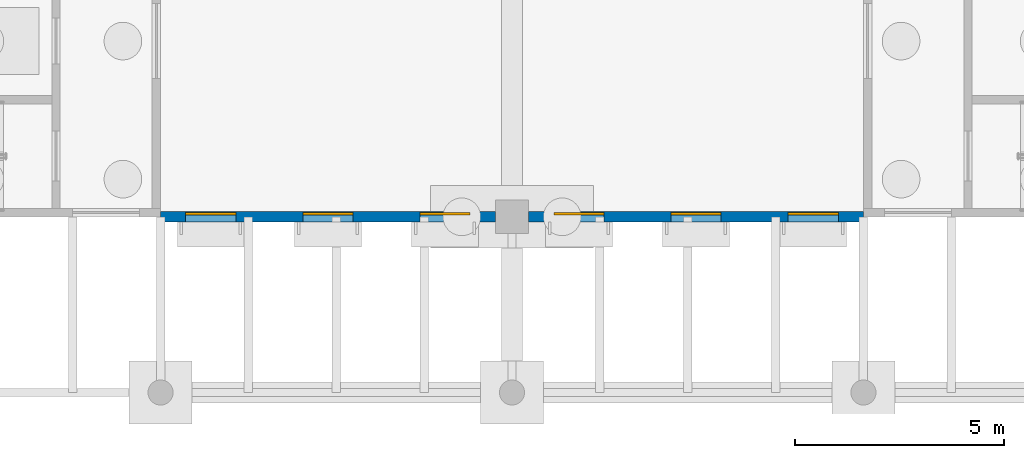
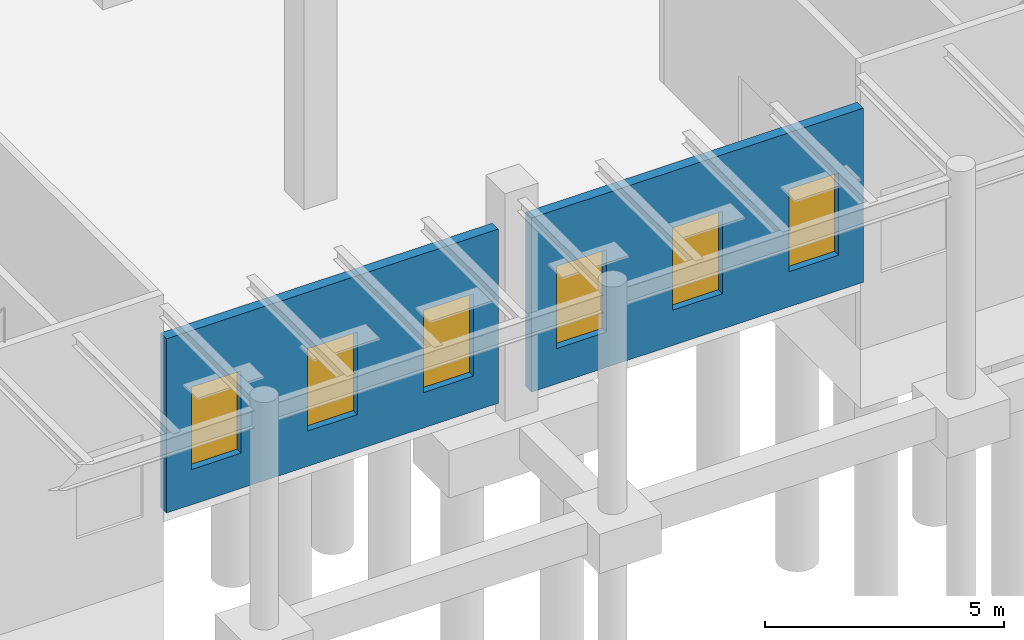
# One storey, part 34 of 82: 6 windows, 2 walls, 6 openings.
"""IFC4 building model written with IfcOpenShell, lengths in metres."""

from ifc_helpers import new_model, si_unit, direction, frame, frame_2d, origin, place, context, subcontext, project, spatial, rectangle, extrude, material, layer, layer_set, type_object, element, fill, save


model = new_model("IFC4")

# Units and contexts
model_context = context("Model", 3, precision=1e-05, world=origin(), true_north=direction((0.0, 1.0)))
body_context = subcontext(model_context, "Body", "Model", "MODEL_VIEW")
ifc_project = project(units=[si_unit("LENGTHUNIT", "METRE"), si_unit("AREAUNIT", "SQUARE_METRE"), si_unit("VOLUMEUNIT", "CUBIC_METRE"), si_unit("PLANEANGLEUNIT", "RADIAN"), si_unit("MASSUNIT", "GRAM", prefix="KILO")], contexts=[model_context])

# Site, building, storey
site_placement = place(None, origin())
site = spatial("IfcSite", under=ifc_project, at=site_placement, CompositionType="ELEMENT")
building_placement = place(site_placement, origin())
building = spatial("IfcBuilding", under=site, at=building_placement, Name="Almond Square Museum", CompositionType="ELEMENT")
storey_placement = place(building_placement, origin())
storey = spatial("IfcBuildingStorey", under=building, at=storey_placement, Name="L00", CompositionType="ELEMENT", Elevation=0.0)

# Wall, openings, windows
ifc_material_1 = material(Name="Precast concrete C40/50", Category="concrete")
ifc_layer = layer(ifc_material_1, 0.25)
ifc_layer_set = layer_set([ifc_layer], Name="Precast concrete C40/50")
wall_type = type_object("IfcWallType", Name="Precast concrete panel wall 250 with coral limestone piers", PredefinedType="SOLIDWALL", material=ifc_layer_set)
wall_1_placement = place(storey_placement, frame((48.0, 84.0, 0.0), z_axis=(0.0, 0.0, 1.0), x_axis=(1.0, 0.0, 0.0)))
wall_1 = element("IfcWall", 1, at=wall_1_placement, inside=storey, type_object=wall_type, Name="External wall W2 V4N L00 S01", PredefinedType="SOLIDWALL", context=body_context, shape_type="SweptSolid", body=[
    extrude(rectangle(XDim=8.0, YDim=0.25, at=frame_2d((4.0, 0.0))), origin(), (0.0, 0.0, 1.0), 4.43994140625),
])
opening_1_placement = place(wall_1_placement, frame((0.60009765625, 0.0, 0.89990234375)))
opening_1 = element("IfcOpeningElement", 2, at=opening_1_placement, cuts=wall_1, Name="Opening W0051", PredefinedType="OPENING", context=body_context, shape_type="SweptSolid", body=[
    extrude(rectangle(XDim=1.199951171875, YDim=2.10009765625, at=frame_2d((0.60009765625, 1.050048828125))), frame((0.0, 0.135009765625, 0.0), z_axis=(0.0, -1.0, 0.0), x_axis=(1.0, 0.0, 0.0)), (0.0, 0.0, 1.0), 0.27001953125),
])
opening_2_placement = place(wall_1_placement, frame((3.39990234375, 0.0, 0.89990234375)))
opening_2 = element("IfcOpeningElement", 3, at=opening_2_placement, cuts=wall_1, Name="Opening W0052", PredefinedType="OPENING", context=body_context, shape_type="SweptSolid", body=[
    extrude(rectangle(XDim=1.199951171875, YDim=2.10009765625, at=frame_2d((0.60009765625, 1.050048828125))), frame((0.0, 0.135009765625, 0.0), z_axis=(0.0, -1.0, 0.0), x_axis=(1.0, 0.0, 0.0)), (0.0, 0.0, 1.0), 0.27001953125),
])
opening_3_placement = place(wall_1_placement, frame((6.199951171875, 0.0, 0.89990234375)))
opening_3 = element("IfcOpeningElement", 4, at=opening_3_placement, cuts=wall_1, Name="Opening W0053", PredefinedType="OPENING", context=body_context, shape_type="SweptSolid", body=[
    extrude(rectangle(XDim=1.199951171875, YDim=2.10009765625, at=frame_2d((0.60009765625, 1.050048828125))), frame((0.0, 0.135009765625, 0.0), z_axis=(0.0, -1.0, 0.0), x_axis=(1.0, 0.0, 0.0)), (0.0, 0.0, 1.0), 0.27001953125),
])
ifc_material_2 = material(Name="Anodised aluminium louvre and laminated glass", Category="aluminium")
window_type = type_object("IfcWindowType", Name="Louvred pier window", PartitioningType="SINGLE_PANEL", PredefinedType="WINDOW", material=ifc_material_2)
window_1_placement = place(opening_1_placement, origin())
window_1 = element("IfcWindow", 5, at=window_1_placement, inside=storey, type_object=window_type, Name="Louvred pier window W0051", OverallHeight=2.10009765625, OverallWidth=1.199951171875, PartitioningType="SINGLE_PANEL", PredefinedType="WINDOW", context=body_context, shape_type="SweptSolid", body=[
    extrude(rectangle(XDim=1.199951171875, YDim=2.10009765625, at=frame_2d((0.60009765625, 1.050048828125))), frame((0.0, 0.10498046875, 0.0), z_axis=(0.0, -1.0, 0.0), x_axis=(1.0, 0.0, 0.0)), (0.0, 0.0, 1.0), 0.06005859375),
])
fill(opening_1, window_1)
window_2_placement = place(opening_2_placement, origin())
window_2 = element("IfcWindow", 6, at=window_2_placement, inside=storey, type_object=window_type, Name="Louvred pier window W0052", OverallHeight=2.10009765625, OverallWidth=1.199951171875, PartitioningType="SINGLE_PANEL", PredefinedType="WINDOW", context=body_context, shape_type="SweptSolid", body=[
    extrude(rectangle(XDim=1.199951171875, YDim=2.10009765625, at=frame_2d((0.60009765625, 1.050048828125))), frame((0.0, 0.10498046875, 0.0), z_axis=(0.0, -1.0, 0.0), x_axis=(1.0, 0.0, 0.0)), (0.0, 0.0, 1.0), 0.06005859375),
])
fill(opening_2, window_2)
window_3_placement = place(opening_3_placement, origin())
window_3 = element("IfcWindow", 7, at=window_3_placement, inside=storey, type_object=window_type, Name="Louvred pier window W0053", OverallHeight=2.10009765625, OverallWidth=1.199951171875, PartitioningType="SINGLE_PANEL", PredefinedType="WINDOW", context=body_context, shape_type="SweptSolid", body=[
    extrude(rectangle(XDim=1.199951171875, YDim=2.10009765625, at=frame_2d((0.60009765625, 1.050048828125))), frame((0.0, 0.10498046875, 0.0), z_axis=(0.0, -1.0, 0.0), x_axis=(1.0, 0.0, 0.0)), (0.0, 0.0, 1.0), 0.06005859375),
])
fill(opening_3, window_3)

wall_2_placement = place(storey_placement, frame((56.800048828125, 84.0, 0.0), z_axis=(0.0, 0.0, 1.0), x_axis=(1.0, 0.0, 0.0)))
wall_2 = element("IfcWall", 8, at=wall_2_placement, inside=storey, type_object=wall_type, Name="External wall W2 V4N L00 S02", PredefinedType="SOLIDWALL", context=body_context, shape_type="SweptSolid", body=[
    extrude(rectangle(XDim=8.0, YDim=0.25, at=frame_2d((4.0, 0.0))), origin(), (0.0, 0.0, 1.0), 4.43994140625),
])
opening_4_placement = place(wall_2_placement, frame((0.60009765625, 0.0, 0.89990234375)))
opening_4 = element("IfcOpeningElement", 9, at=opening_4_placement, cuts=wall_2, Name="Opening W0054", PredefinedType="OPENING", context=body_context, shape_type="SweptSolid", body=[
    extrude(rectangle(XDim=1.199951171875, YDim=2.10009765625, at=frame_2d((0.60009765625, 1.050048828125))), frame((0.0, 0.135009765625, 0.0), z_axis=(0.0, -1.0, 0.0), x_axis=(1.0, 0.0, 0.0)), (0.0, 0.0, 1.0), 0.27001953125),
])
opening_5_placement = place(wall_2_placement, frame((3.39990234375, 0.0, 0.89990234375)))
opening_5 = element("IfcOpeningElement", 10, at=opening_5_placement, cuts=wall_2, Name="Opening W0055", PredefinedType="OPENING", context=body_context, shape_type="SweptSolid", body=[
    extrude(rectangle(XDim=1.199951171875, YDim=2.10009765625, at=frame_2d((0.60009765625, 1.050048828125))), frame((0.0, 0.135009765625, 0.0), z_axis=(0.0, -1.0, 0.0), x_axis=(1.0, 0.0, 0.0)), (0.0, 0.0, 1.0), 0.27001953125),
])
opening_6_placement = place(wall_2_placement, frame((6.199951171875, 0.0, 0.89990234375)))
opening_6 = element("IfcOpeningElement", 11, at=opening_6_placement, cuts=wall_2, Name="Opening W0056", PredefinedType="OPENING", context=body_context, shape_type="SweptSolid", body=[
    extrude(rectangle(XDim=1.199951171875, YDim=2.10009765625, at=frame_2d((0.60009765625, 1.050048828125))), frame((0.0, 0.135009765625, 0.0), z_axis=(0.0, -1.0, 0.0), x_axis=(1.0, 0.0, 0.0)), (0.0, 0.0, 1.0), 0.27001953125),
])
window_4_placement = place(opening_4_placement, origin())
window_4 = element("IfcWindow", 12, at=window_4_placement, inside=storey, type_object=window_type, Name="Louvred pier window W0054", OverallHeight=2.10009765625, OverallWidth=1.199951171875, PartitioningType="SINGLE_PANEL", PredefinedType="WINDOW", context=body_context, shape_type="SweptSolid", body=[
    extrude(rectangle(XDim=1.199951171875, YDim=2.10009765625, at=frame_2d((0.60009765625, 1.050048828125))), frame((0.0, 0.10498046875, 0.0), z_axis=(0.0, -1.0, 0.0), x_axis=(1.0, 0.0, 0.0)), (0.0, 0.0, 1.0), 0.06005859375),
])
fill(opening_4, window_4)
window_5_placement = place(opening_5_placement, origin())
window_5 = element("IfcWindow", 13, at=window_5_placement, inside=storey, type_object=window_type, Name="Louvred pier window W0055", OverallHeight=2.10009765625, OverallWidth=1.199951171875, PartitioningType="SINGLE_PANEL", PredefinedType="WINDOW", context=body_context, shape_type="SweptSolid", body=[
    extrude(rectangle(XDim=1.199951171875, YDim=2.10009765625, at=frame_2d((0.60009765625, 1.050048828125))), frame((0.0, 0.10498046875, 0.0), z_axis=(0.0, -1.0, 0.0), x_axis=(1.0, 0.0, 0.0)), (0.0, 0.0, 1.0), 0.06005859375),
])
fill(opening_5, window_5)
window_6_placement = place(opening_6_placement, origin())
window_6 = element("IfcWindow", 14, at=window_6_placement, inside=storey, type_object=window_type, Name="Louvred pier window W0056", OverallHeight=2.10009765625, OverallWidth=1.199951171875, PartitioningType="SINGLE_PANEL", PredefinedType="WINDOW", context=body_context, shape_type="SweptSolid", body=[
    extrude(rectangle(XDim=1.199951171875, YDim=2.10009765625, at=frame_2d((0.60009765625, 1.050048828125))), frame((0.0, 0.10498046875, 0.0), z_axis=(0.0, -1.0, 0.0), x_axis=(1.0, 0.0, 0.0)), (0.0, 0.0, 1.0), 0.06005859375),
])
fill(opening_6, window_6)

save(model, "model.ifc")
